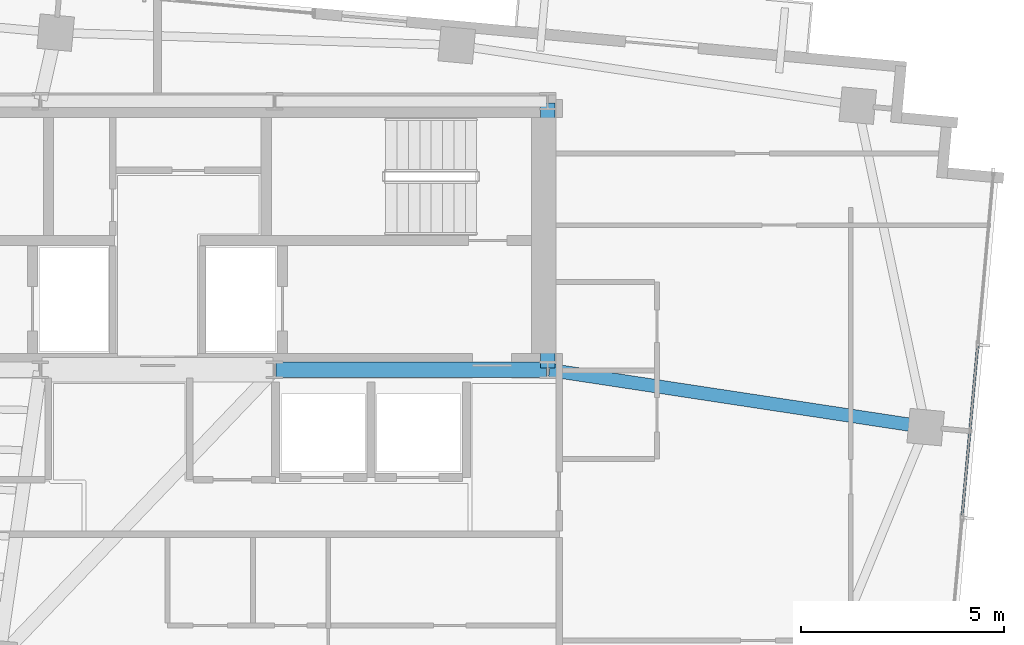
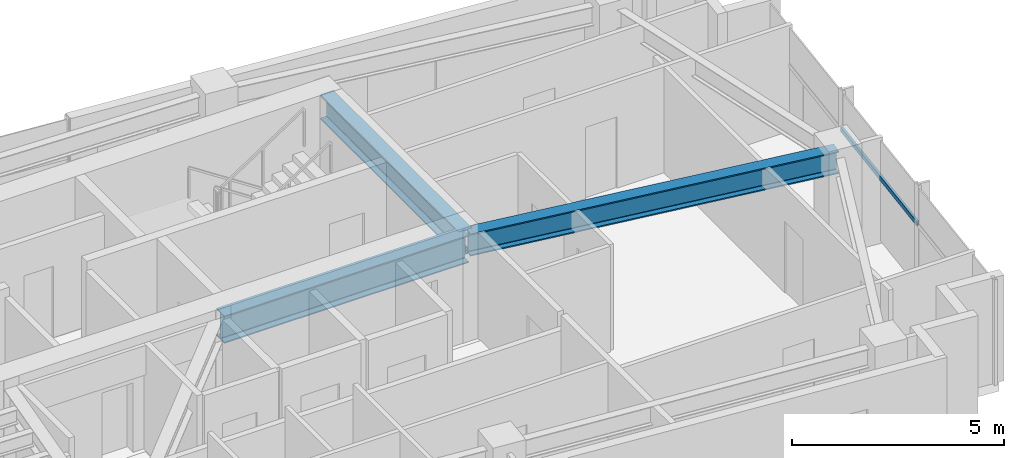
# One storey, part 13 of 22: 3 beams, 1 member, 1 element without a shape of its own.
"""IFC4 building model written with IfcOpenShell, lengths in metres."""

from ifc_helpers import new_model, si_unit, direction, frame, origin, origin_2d, place, context, subcontext, project, spatial, hollow_rectangle, i_section, extrude, source, transform, mapped, material, material_profile, profile_set, type_object, type_shapes, element, aggregate, save


model = new_model("IFC4")

# Units and contexts
model_context = context("Model", 3, precision=1e-05, world=origin(), true_north=direction((0.0, 1.0)))
body_context = subcontext(model_context, "Body", "Model", "MODEL_VIEW")
ifc_project = project(units=[si_unit("LENGTHUNIT", "METRE"), si_unit("AREAUNIT", "SQUARE_METRE"), si_unit("VOLUMEUNIT", "CUBIC_METRE"), si_unit("PLANEANGLEUNIT", "RADIAN"), si_unit("MASSUNIT", "GRAM", prefix="KILO")], contexts=[model_context])

# Site, building, storey
site_placement = place(None, origin())
site = spatial("IfcSite", under=ifc_project, at=site_placement, CompositionType="ELEMENT")
building_placement = place(site_placement, origin())
building = spatial("IfcBuilding", under=site, at=building_placement, Name="Astriad Promenade Condominiums", CompositionType="ELEMENT")
storey_placement = place(building_placement, frame((0.0, 0.0, 252.89990234375)))
storey = spatial("IfcBuildingStorey", under=building, at=storey_placement, Name="L73", CompositionType="ELEMENT", Elevation=252.89990234375)

# Beams
ifc_material_1 = material(Name="Steel ASTM A992 Grade 50", Category="steel")
ifc_material_profile_1 = material_profile(ifc_material_1, i_section(OverallWidth=0.3837890625, OverallDepth=0.785888671875, WebThickness=0.019775390625, FlangeThickness=0.033447265625, FilletRadius=0.021484375, at=origin_2d()), Name="W30X211")
ifc_profile_set_1 = profile_set([ifc_material_profile_1], Name="Steel ASTM A992 Grade 50")
beam_type_1 = type_object("IfcBeamType", Name="STEEL FLOOR GIRDER W30X211", PredefinedType="BEAM", material=ifc_profile_set_1)
shared_shape_1 = source(origin(), body_context, "Body", "SweptSolid", [
    extrude(i_section(OverallWidth=0.3837890625, OverallDepth=0.785888671875, WebThickness=0.019775390625, FlangeThickness=0.033447265625, FilletRadius=0.021484375, at=origin_2d()), origin(), (0.0, 0.0, 1.0), 6.64013671875),
])
type_shapes(beam_type_1, [shared_shape_1])
beam_1_placement = place(storey_placement, frame((38.919921875, 17.39990234375, 2.647216796875), z_axis=(1.0, 0.0, 0.0), x_axis=(0.0, 1.0, 0.0)))
element("IfcBeam", 1, at=beam_1_placement, inside=storey, type_object=beam_type_1, Name="Core Ring Beam CG-S3-L73", PredefinedType="BEAM", context=body_context, shape_type="MappedRepresentation", body=[
    mapped(shared_shape_1, transform((0.0, 0.0, 0.0), scale=1.0)),
])
ifc_material_profile_2 = material_profile(ifc_material_1, i_section(OverallWidth=0.35791015625, OverallDepth=0.706298828125, WebThickness=0.018310546875, FlangeThickness=0.0302734375, FilletRadius=0.020263671875, at=origin_2d()), Name="W27X178")
ifc_profile_set_2 = profile_set([ifc_material_profile_2], Name="Steel ASTM A992 Grade 50")
beam_type_2 = type_object("IfcBeamType", Name="STEEL FLOOR GIRDER W27X178", PredefinedType="BEAM", material=ifc_profile_set_2)
shared_shape_2 = source(origin(), body_context, "Body", "SweptSolid", [
    extrude(i_section(OverallWidth=0.35791015625, OverallDepth=0.706298828125, WebThickness=0.018310546875, FlangeThickness=0.0302734375, FilletRadius=0.020263671875, at=origin_2d()), origin(), (0.0, 0.0, 1.0), 6.52001953125),
])
type_shapes(beam_type_2, [shared_shape_2])
beam_2_placement = place(storey_placement, frame((45.60009765625, 17.43994140625, 2.68701171875), z_axis=(0.0, 1.0, 0.0), x_axis=(-1.0, 0.0, 0.0)))
element("IfcBeam", 2, at=beam_2_placement, inside=storey, type_object=beam_type_2, Name="Core Ring Beam CG-E1-L73", PredefinedType="BEAM", context=body_context, shape_type="MappedRepresentation", body=[
    mapped(shared_shape_2, transform((0.0, 0.0, 0.0), scale=1.0)),
])
ifc_material_profile_3 = material_profile(ifc_material_1, i_section(OverallWidth=0.327392578125, OverallDepth=0.640625, WebThickness=0.01904296875, FlangeThickness=0.033935546875, FilletRadius=0.017822265625, at=origin_2d()), Name="W24X176")
ifc_profile_set_3 = profile_set([ifc_material_profile_3], Name="Steel ASTM A992 Grade 50")
beam_type_3 = type_object("IfcBeamType", Name="STEEL FLOOR GIRDER W24X176", PredefinedType="BEAM", material=ifc_profile_set_3)
shared_shape_3 = source(origin(), body_context, "Body", "SweptSolid", [
    extrude(i_section(OverallWidth=0.327392578125, OverallDepth=0.640625, WebThickness=0.01904296875, FlangeThickness=0.033935546875, FilletRadius=0.017822265625, at=origin_2d()), origin(), (0.0, 0.0, 1.0), 9.315185546875),
])
type_shapes(beam_type_3, [shared_shape_3])
beam_3_placement = place(storey_placement, frame((54.84912109375, 15.995849609375, 2.7197265625), z_axis=(-0.988671230988, 0.150097291834, 0.0), x_axis=(-0.150097291834, -0.988671230988, 0.0)))
element("IfcBeam", 3, at=beam_3_placement, inside=storey, type_object=beam_type_3, Name="Primary Floor Girder PG-EM-L73", PredefinedType="BEAM", context=body_context, shape_type="MappedRepresentation", body=[
    mapped(shared_shape_3, transform((0.0, 0.0, 0.0), scale=1.0)),
])

# Curtain wall, member
ifc_material_2 = material(Name="Anodised aluminium Black Dark Glass Unitised", Category="aluminium")
curtain_wall_type = type_object("IfcCurtainWallType", Name="CW-B5-DARK", PredefinedType="USERDEFINED", material=ifc_material_2)
curtain_wall_placement = place(storey_placement, origin())
curtain_wall = element("IfcCurtainWall", 4, at=curtain_wall_placement, inside=storey, type_object=curtain_wall_type, Name="CW-L73-E", ObjectType="UNITISED_CURTAIN_WALL", PredefinedType="USERDEFINED")
ifc_material_3 = material(Name="Anodised aluminium 6063-T6 Black", Category="aluminium")
ifc_material_profile_4 = material_profile(ifc_material_3, hollow_rectangle(XDim=0.06494140625, YDim=0.1298828125, WallThickness=0.00390625, at=origin_2d()), Name="ALU-TRN-65X130")
ifc_profile_set_4 = profile_set([ifc_material_profile_4], Name="Anodised aluminium 6063-T6 Black")
member_type = type_object("IfcMemberType", Name="TRN-ALU-TRN-65X130", PredefinedType="USERDEFINED", material=ifc_profile_set_4)
shared_shape_4 = source(origin(), body_context, "Body", "SweptSolid", [
    extrude(hollow_rectangle(XDim=0.06494140625, YDim=0.1298828125, WallThickness=0.00390625, at=origin_2d()), origin(), (0.0, 0.0, 1.0), 4.266845703125),
])
type_shapes(member_type, [shared_shape_4])
member_placement = place(storey_placement, frame((56.16748046875, 18.015625, 1.885009765625), z_axis=(-0.090633767096, -0.995884290599, 0.0), x_axis=(0.995884290599, -0.090633767096, 0.0)))
member = element("IfcMember", 5, at=member_placement, type_object=member_type, Name="CW-L73-E-TRN-01-0", ObjectType="TRANSOM", PredefinedType="USERDEFINED", context=body_context, shape_type="MappedRepresentation", body=[
    mapped(shared_shape_4, transform((0.0, 0.0, 0.0), scale=1.0)),
])
aggregate(curtain_wall, [member])

save(model, "model.ifc")
